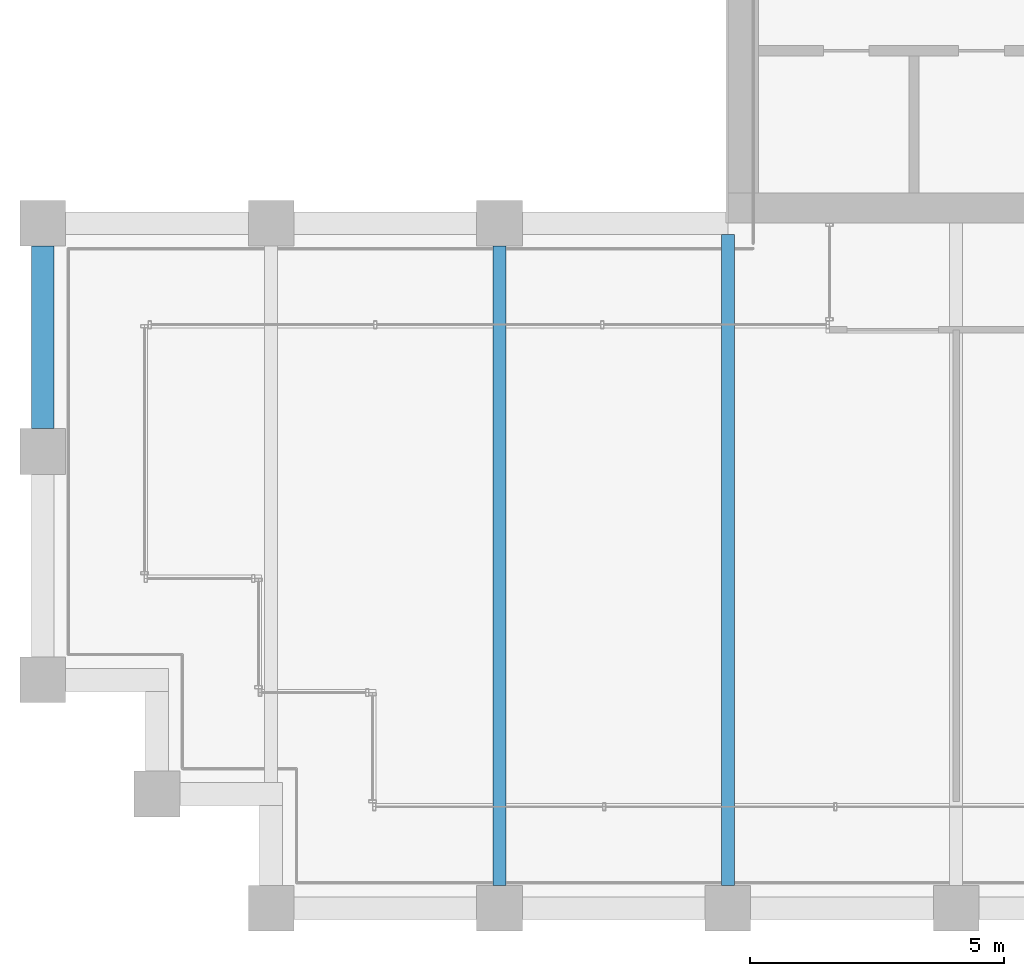
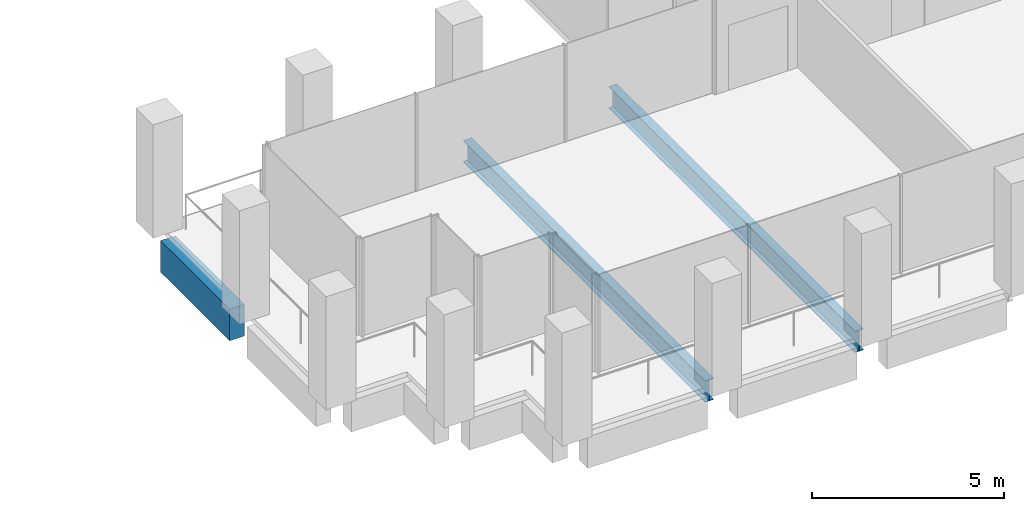
# One storey, part 4 of 40: 3 beams.
"""IFC4 building model written with IfcOpenShell, lengths in metres."""

from ifc_helpers import new_model, si_unit, direction, frame, origin, origin_2d, place, context, subcontext, project, spatial, rectangle, i_section, extrude, material, material_profile, profile_set, type_object, element, save


model = new_model("IFC4")

# Units and contexts
model_context = context("Model", 3, precision=1e-05, world=origin(), true_north=direction((0.0, 1.0)))
body_context = subcontext(model_context, "Body", "Model", "MODEL_VIEW")
ifc_project = project(units=[si_unit("LENGTHUNIT", "METRE"), si_unit("AREAUNIT", "SQUARE_METRE"), si_unit("VOLUMEUNIT", "CUBIC_METRE"), si_unit("PLANEANGLEUNIT", "RADIAN"), si_unit("MASSUNIT", "GRAM", prefix="KILO")], contexts=[model_context])

# Site, building, storey
site_placement = place(None, origin())
site = spatial("IfcSite", under=ifc_project, at=site_placement, CompositionType="ELEMENT")
building_placement = place(site_placement, origin())
building = spatial("IfcBuilding", under=site, at=building_placement, Name="Altepetl Exchange Towers", CompositionType="ELEMENT")
storey_placement = place(building_placement, frame((0.0, 0.0, 161.800048828125)))
storey = spatial("IfcBuildingStorey", under=building, at=storey_placement, Name="L40", CompositionType="ELEMENT", Elevation=161.800048828125)

# Beams
ifc_material_1 = material(Name="Steel S355", Category="steel")
ifc_material_profile_1 = material_profile(ifc_material_1, i_section(OverallWidth=0.25390625, OverallDepth=0.68408203125, WebThickness=0.012451171875, FlangeThickness=0.018798828125, at=origin_2d()), Name="W27X94")
ifc_profile_set_1 = profile_set([ifc_material_profile_1], Name="Steel S355")
beam_type_1 = type_object("IfcBeamType", Name="Floor beam W27X94", PredefinedType="BEAM", material=ifc_profile_set_1)
beam_1_placement = place(storey_placement, frame((36.0, 27.449951171875, -0.491943359375), z_axis=(0.0, 1.0, 0.0), x_axis=(-1.0, 0.0, 0.0)))
element("IfcBeam", 1, at=beam_1_placement, inside=storey, type_object=beam_type_1, Name="bm:A:L40:013", PredefinedType="BEAM", context=body_context, shape_type="SweptSolid", body=[
    extrude(i_section(OverallWidth=0.25390625, OverallDepth=0.68408203125, WebThickness=0.012451171875, FlangeThickness=0.018798828125, at=origin_2d()), origin(), (0.0, 0.0, 1.0), 12.60009765625),
])
beam_2_placement = place(storey_placement, frame((40.5, 27.449951171875, -0.491943359375), z_axis=(0.0, 1.0, 0.0), x_axis=(-1.0, 0.0, 0.0)))
element("IfcBeam", 2, at=beam_2_placement, inside=storey, type_object=beam_type_1, Name="bm:A:L40:014", PredefinedType="BEAM", context=body_context, shape_type="SweptSolid", body=[
    extrude(i_section(OverallWidth=0.25390625, OverallDepth=0.68408203125, WebThickness=0.012451171875, FlangeThickness=0.018798828125, at=origin_2d()), origin(), (0.0, 0.0, 1.0), 12.824951171875),
])
ifc_material_2 = material(Name="Concrete C50/60 precast with cantera blanca facing", Category="concrete")
ifc_material_profile_2 = material_profile(ifc_material_2, rectangle(XDim=0.449951171875, YDim=1.0, at=origin_2d()), Name="450 x 1000")
ifc_profile_set_2 = profile_set([ifc_material_profile_2], Name="Concrete C50/60 precast with cantera blanca facing")
beam_type_2 = type_object("IfcBeamType", Name="Spandrel beam 450x1000 cantera blanca", PredefinedType="SPANDREL", material=ifc_profile_set_2)
beam_3_placement = place(storey_placement, frame((27.0, 40.050048828125, -0.650146484375), z_axis=(0.0, -1.0, 0.0), x_axis=(1.0, 0.0, 0.0)))
element("IfcBeam", 3, at=beam_3_placement, inside=storey, type_object=beam_type_2, Name="sp:A:L40:036", PredefinedType="SPANDREL", context=body_context, shape_type="SweptSolid", body=[
    extrude(rectangle(XDim=0.449951171875, YDim=1.0, at=origin_2d()), origin(), (0.0, 0.0, 1.0), 3.60009765625),
])

save(model, "model.ifc")
